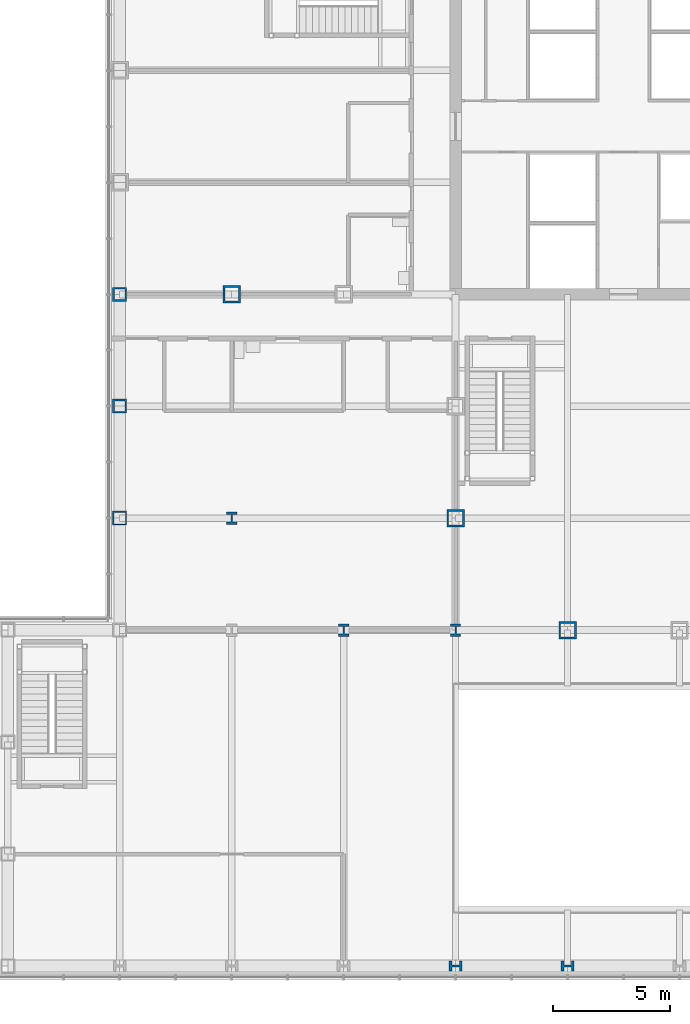
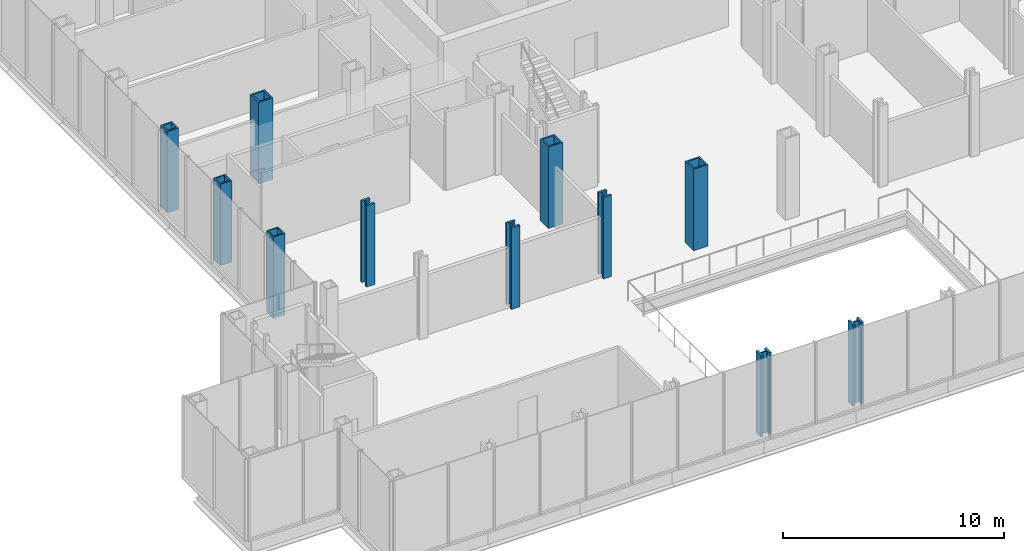
# One storey, part 2 of 25: 11 columns.
"""IFC4 building model written with IfcOpenShell, lengths in metres."""

from ifc_helpers import new_model, si_unit, direction, frame, origin, origin_2d, place, context, subcontext, project, spatial, hollow_rectangle, i_section, extrude, material, material_profile, profile_set, type_object, element, save


model = new_model("IFC4")

# Units and contexts
model_context = context("Model", 3, precision=1e-05, world=origin(), true_north=direction((0.0, 1.0)))
body_context = subcontext(model_context, "Body", "Model", "MODEL_VIEW")
ifc_project = project(units=[si_unit("LENGTHUNIT", "METRE"), si_unit("AREAUNIT", "SQUARE_METRE"), si_unit("VOLUMEUNIT", "CUBIC_METRE"), si_unit("PLANEANGLEUNIT", "RADIAN"), si_unit("MASSUNIT", "GRAM", prefix="KILO")], contexts=[model_context])

# Site, building, storey
site_placement = place(None, origin())
site = spatial("IfcSite", under=ifc_project, at=site_placement, CompositionType="ELEMENT")
building_placement = place(site_placement, origin())
building = spatial("IfcBuilding", under=site, at=building_placement, Name="Kvirike Care Tower", CompositionType="ELEMENT")
storey_placement = place(building_placement, frame((0.0, 0.0, 9.0)))
storey = spatial("IfcBuildingStorey", under=building, at=storey_placement, Name="L02", CompositionType="ELEMENT", Elevation=9.0)

# Columns
ifc_material_1 = material(Name="Steel S460", Category="steel")
ifc_material_profile_1 = material_profile(ifc_material_1, hollow_rectangle(XDim=0.60009765625, YDim=0.60009765625, WallThickness=0.06005859375, at=origin_2d()), Name="BX 600x600x60")
ifc_profile_set_1 = profile_set([ifc_material_profile_1], Name="Steel S460")
column_type_1 = type_object("IfcColumnType", Name="COLUMN BX 600x600x60", PredefinedType="COLUMN", material=ifc_profile_set_1)
column_placement = place(storey_placement, frame((0.0, 19.199951171875, 0.0), z_axis=(0.0, 0.0, 1.0), x_axis=(1.0, 0.0, 0.0)))
element("IfcColumn", 1, at=column_placement, inside=storey, type_object=column_type_1, Name="Column E3 L02", PredefinedType="COLUMN", context=body_context, shape_type="SweptSolid", body=[
    extrude(hollow_rectangle(XDim=0.60009765625, YDim=0.60009765625, WallThickness=0.06005859375, at=origin_2d()), origin(), (0.0, 0.0, 1.0), 4.5),
])
ifc_material_2 = material(Name="Steel S460", Category="steel")
ifc_material_profile_2 = material_profile(ifc_material_2, hollow_rectangle(XDim=0.60009765625, YDim=0.60009765625, WallThickness=0.080078125, at=origin_2d()), Name="BX 600x600x80")
ifc_profile_set_2 = profile_set([ifc_material_profile_2], Name="Steel S460")
column_type_2 = type_object("IfcColumnType", Name="COLUMN BX 600x600x80", PredefinedType="COLUMN", material=ifc_profile_set_2)
for number, where, z_axis, x_axis, name in (
    (2, (0.0, 24.0, 0.0), (0.0, 0.0, 1.0), (1.0, 0.0, 0.0), "Column F3 L02"),
    (3, (0.0, 28.800048828125, 0.0), (0.0, 0.0, 1.0), (0.0, 1.0, 0.0), "Column G3 L02"),
):
    element("IfcColumn", number, at=place(storey_placement, frame(where, z_axis=z_axis, x_axis=x_axis)), inside=storey, type_object=column_type_2, Name=name, PredefinedType="COLUMN", context=body_context, shape_type="SweptSolid", body=[
        extrude(hollow_rectangle(XDim=0.60009765625, YDim=0.60009765625, WallThickness=0.080078125, at=origin_2d()), origin(), (0.0, 0.0, 1.0), 4.5),
    ])
ifc_material_3 = material(Name="Steel S460", Category="steel")
ifc_material_profile_3 = material_profile(ifc_material_3, hollow_rectangle(XDim=0.75, YDim=0.75, WallThickness=0.080078125, at=origin_2d()), Name="BX 750x750x80")
ifc_profile_set_3 = profile_set([ifc_material_profile_3], Name="Steel S460")
column_type_3 = type_object("IfcColumnType", Name="COLUMN BX 750x750x80", PredefinedType="COLUMN", material=ifc_profile_set_3)
for number, where, z_axis, x_axis, name in (
    (4, (4.800048828125, 28.800048828125, 0.0), (0.0, 0.0, 1.0), (0.0, 1.0, 0.0), "Column G4 L02"),
    (5, (14.39990234375, 19.199951171875, 0.0), (0.0, 0.0, 1.0), (1.0, 0.0, 0.0), "Column E6 L02"),
    (6, (19.199951171875, 14.39990234375, 0.0), (0.0, 0.0, 1.0), (1.0, 0.0, 0.0), "Column D7 L02"),
):
    element("IfcColumn", number, at=place(storey_placement, frame(where, z_axis=z_axis, x_axis=x_axis)), inside=storey, type_object=column_type_3, Name=name, PredefinedType="COLUMN", context=body_context, shape_type="SweptSolid", body=[
        extrude(hollow_rectangle(XDim=0.75, YDim=0.75, WallThickness=0.080078125, at=origin_2d()), origin(), (0.0, 0.0, 1.0), 4.5),
    ])
ifc_material_4 = material(Name="Steel S460", Category="steel")
ifc_material_profile_4 = material_profile(ifc_material_4, i_section(OverallWidth=0.44189453125, OverallDepth=0.531005859375, WebThickness=0.06591796875, FlangeThickness=0.10595703125, FilletRadius=0.014892578125, at=origin_2d()), Name="HD 400x900")
ifc_profile_set_4 = profile_set([ifc_material_profile_4], Name="Steel S460")
column_type_4 = type_object("IfcColumnType", Name="COLUMN HD 400x900", PredefinedType="COLUMN", material=ifc_profile_set_4)
for number, where, z_axis, x_axis, name in (
    (7, (4.800048828125, 19.199951171875, 0.0), (0.0, 0.0, 1.0), (1.0, 0.0, 0.0), "Column E4 L02"),
    (8, (9.60009765625, 14.39990234375, 0.0), (0.0, 0.0, 1.0), (1.0, 0.0, 0.0), "Column D5 L02"),
    (9, (14.39990234375, 14.39990234375, 0.0), (0.0, 0.0, 1.0), (1.0, 0.0, 0.0), "Column D6 L02"),
):
    element("IfcColumn", number, at=place(storey_placement, frame(where, z_axis=z_axis, x_axis=x_axis)), inside=storey, type_object=column_type_4, Name=name, PredefinedType="COLUMN", context=body_context, shape_type="SweptSolid", body=[
        extrude(i_section(OverallWidth=0.44189453125, OverallDepth=0.531005859375, WebThickness=0.06591796875, FlangeThickness=0.10595703125, FilletRadius=0.014892578125, at=origin_2d()), origin(), (0.0, 0.0, 1.0), 4.5),
    ])
ifc_material_5 = material(Name="Steel S460", Category="steel")
ifc_material_profile_5 = material_profile(ifc_material_5, i_section(OverallWidth=0.447998046875, OverallDepth=0.550048828125, WebThickness=0.072021484375, FlangeThickness=0.114990234375, FilletRadius=0.014892578125, at=origin_2d()), Name="HD 400x990")
ifc_profile_set_5 = profile_set([ifc_material_profile_5], Name="Steel S460")
column_type_5 = type_object("IfcColumnType", Name="COLUMN HD 400x990", PredefinedType="COLUMN", material=ifc_profile_set_5)
for number, where, z_axis, x_axis, name in (
    (10, (14.39990234375, 0.0, 0.0), (0.0, 0.0, 1.0), (0.0, 1.0, 0.0), "Column A6 L02"),
    (11, (19.199951171875, 0.0, 0.0), (0.0, 0.0, 1.0), (0.0, 1.0, 0.0), "Column A7 L02"),
):
    element("IfcColumn", number, at=place(storey_placement, frame(where, z_axis=z_axis, x_axis=x_axis)), inside=storey, type_object=column_type_5, Name=name, PredefinedType="COLUMN", context=body_context, shape_type="SweptSolid", body=[
        extrude(i_section(OverallWidth=0.447998046875, OverallDepth=0.550048828125, WebThickness=0.072021484375, FlangeThickness=0.114990234375, FilletRadius=0.014892578125, at=origin_2d()), origin(), (0.0, 0.0, 1.0), 4.5),
    ])

save(model, "model.ifc")
